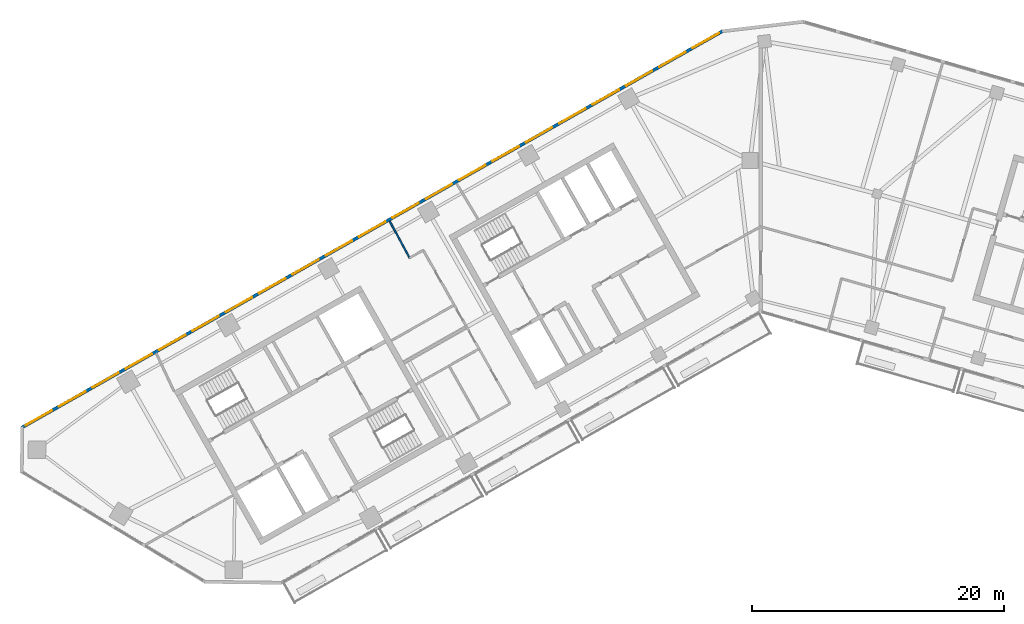
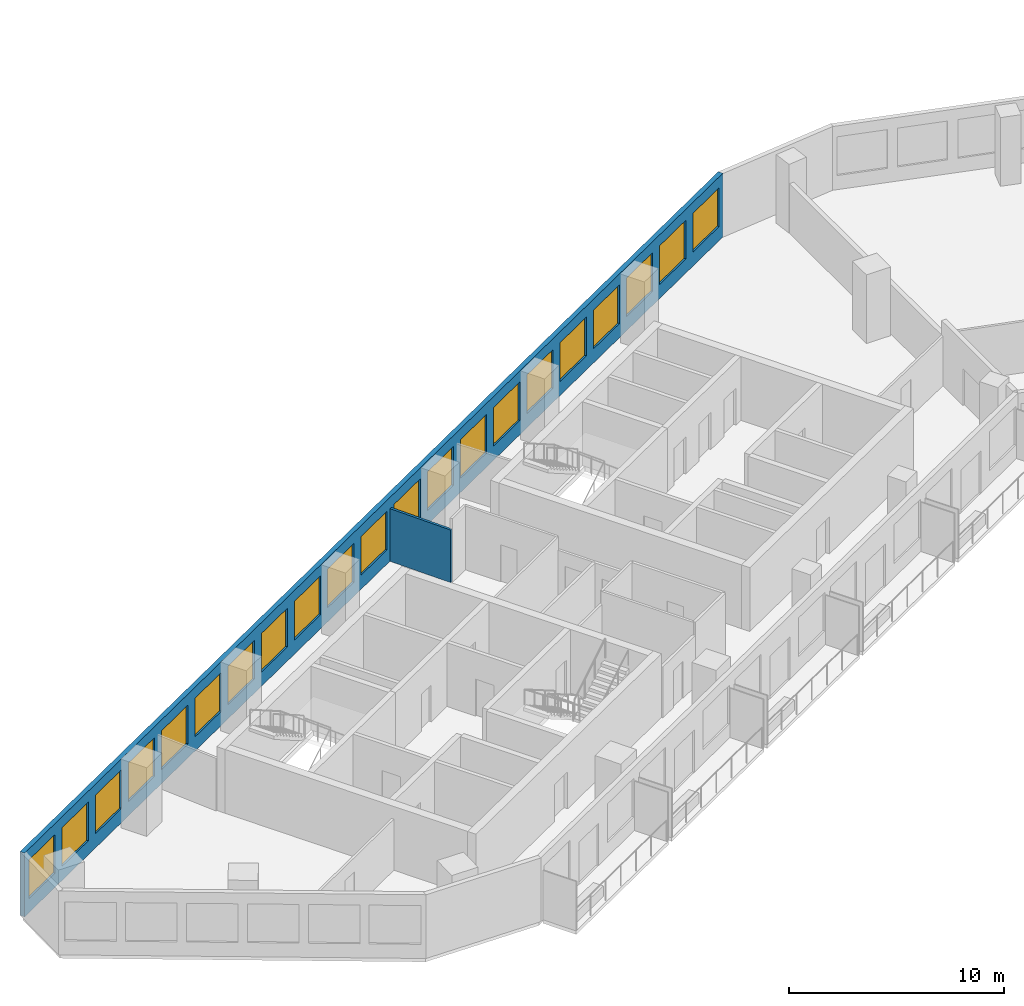
# One storey, part 4 of 12: 21 windows, 2 walls, 21 openings.
"""IFC4 building model written with IfcOpenShell, lengths in metres."""

from ifc_helpers import new_model, si_unit, direction, frame, frame_2d, origin, place, context, subcontext, project, spatial, rectangle, extrude, material, layer, layer_set, type_object, element, fill, save


model = new_model("IFC4")

# Units and contexts
model_context = context("Model", 3, precision=1e-05, world=origin(), true_north=direction((0.0, 1.0)))
body_context = subcontext(model_context, "Body", "Model", "MODEL_VIEW")
ifc_project = project(units=[si_unit("LENGTHUNIT", "METRE"), si_unit("AREAUNIT", "SQUARE_METRE"), si_unit("VOLUMEUNIT", "CUBIC_METRE"), si_unit("PLANEANGLEUNIT", "RADIAN"), si_unit("MASSUNIT", "GRAM", prefix="KILO")], contexts=[model_context])

# Site, building, storey
site_placement = place(None, origin())
site = spatial("IfcSite", under=ifc_project, at=site_placement, CompositionType="ELEMENT")
building_placement = place(site_placement, origin())
building = spatial("IfcBuilding", under=site, at=building_placement, Name="Binnacle Exchange Tower", CompositionType="ELEMENT")
storey_placement = place(building_placement, frame((0.0, 0.0, 211.39990234375)))
storey = spatial("IfcBuildingStorey", under=building, at=storey_placement, Name="L46", CompositionType="ELEMENT", Elevation=211.39990234375)

# Wall, openings, windows
ifc_material_1 = material(Name="Bronze aluminium cladding", Category="aluminium")
ifc_layer_1 = layer(ifc_material_1, 0.25)
ifc_layer_set_1 = layer_set([ifc_layer_1], Name="External wall - window wall 250")
wall_type_1 = type_object("IfcWallType", Name="External wall - window wall 250", PredefinedType="STANDARD", material=ifc_layer_set_1)
wall_1_placement = place(storey_placement, frame((-58.732177734375, 38.770751953125, 0.0), z_axis=(0.0, 0.0, 1.0), x_axis=(0.870354824205, 0.492425100887, 0.0)))
wall_1 = element("IfcWall", 1, at=wall_1_placement, inside=storey, type_object=wall_type_1, Name="External wall EW-G08 L46", PredefinedType="STANDARD", context=body_context, shape_type="SweptSolid", body=[
    extrude(rectangle(XDim=64.005859375, YDim=0.25, at=frame_2d((32.0029296875, 0.0))), origin(), (0.0, 0.0, 1.0), 3.6201171875),
])
opening_1_placement = place(wall_1_placement, frame((61.25927734375, 0.0, 0.800048828125)))
opening_1 = element("IfcOpeningElement", 2, at=opening_1_placement, cuts=wall_1, Name="Opening WR1", PredefinedType="OPENING", context=body_context, shape_type="SweptSolid", body=[
    extrude(rectangle(XDim=2.39990234375, YDim=2.199951171875, at=frame_2d((1.199951171875, 1.10009765625))), frame((0.0, 0.135009765625, 0.0), z_axis=(0.0, -1.0, 0.0), x_axis=(1.0, 0.0, 0.0)), (0.0, 0.0, 1.0), 0.27001953125),
])
opening_2_placement = place(wall_1_placement, frame((58.2158203125, 0.0, 0.800048828125)))
opening_2 = element("IfcOpeningElement", 3, at=opening_2_placement, cuts=wall_1, Name="Opening WR1", PredefinedType="OPENING", context=body_context, shape_type="SweptSolid", body=[
    extrude(rectangle(XDim=2.39990234375, YDim=2.199951171875, at=frame_2d((1.199951171875, 1.10009765625))), frame((0.0, 0.135009765625, 0.0), z_axis=(0.0, -1.0, 0.0), x_axis=(1.0, 0.0, 0.0)), (0.0, 0.0, 1.0), 0.27001953125),
])
opening_3_placement = place(wall_1_placement, frame((55.172607421875, 0.0, 0.800048828125)))
opening_3 = element("IfcOpeningElement", 4, at=opening_3_placement, cuts=wall_1, Name="Opening WR1", PredefinedType="OPENING", context=body_context, shape_type="SweptSolid", body=[
    extrude(rectangle(XDim=2.39990234375, YDim=2.199951171875, at=frame_2d((1.199951171875, 1.10009765625))), frame((0.0, 0.135009765625, 0.0), z_axis=(0.0, -1.0, 0.0), x_axis=(1.0, 0.0, 0.0)), (0.0, 0.0, 1.0), 0.27001953125),
])
opening_4_placement = place(wall_1_placement, frame((52.12939453125, 0.0, 0.800048828125)))
opening_4 = element("IfcOpeningElement", 5, at=opening_4_placement, cuts=wall_1, Name="Opening WR1", PredefinedType="OPENING", context=body_context, shape_type="SweptSolid", body=[
    extrude(rectangle(XDim=2.39990234375, YDim=2.199951171875, at=frame_2d((1.199951171875, 1.10009765625))), frame((0.0, 0.135009765625, 0.0), z_axis=(0.0, -1.0, 0.0), x_axis=(1.0, 0.0, 0.0)), (0.0, 0.0, 1.0), 0.27001953125),
])
opening_5_placement = place(wall_1_placement, frame((49.0859375, 0.0, 0.800048828125)))
opening_5 = element("IfcOpeningElement", 6, at=opening_5_placement, cuts=wall_1, Name="Opening WR1", PredefinedType="OPENING", context=body_context, shape_type="SweptSolid", body=[
    extrude(rectangle(XDim=2.39990234375, YDim=2.199951171875, at=frame_2d((1.199951171875, 1.10009765625))), frame((0.0, 0.135009765625, 0.0), z_axis=(0.0, -1.0, 0.0), x_axis=(1.0, 0.0, 0.0)), (0.0, 0.0, 1.0), 0.27001953125),
])
opening_6_placement = place(wall_1_placement, frame((46.042724609375, 0.0, 0.800048828125)))
opening_6 = element("IfcOpeningElement", 7, at=opening_6_placement, cuts=wall_1, Name="Opening WR1", PredefinedType="OPENING", context=body_context, shape_type="SweptSolid", body=[
    extrude(rectangle(XDim=2.39990234375, YDim=2.199951171875, at=frame_2d((1.199951171875, 1.10009765625))), frame((0.0, 0.135009765625, 0.0), z_axis=(0.0, -1.0, 0.0), x_axis=(1.0, 0.0, 0.0)), (0.0, 0.0, 1.0), 0.27001953125),
])
opening_7_placement = place(wall_1_placement, frame((42.99951171875, 0.0, 0.800048828125)))
opening_7 = element("IfcOpeningElement", 8, at=opening_7_placement, cuts=wall_1, Name="Opening WR1", PredefinedType="OPENING", context=body_context, shape_type="SweptSolid", body=[
    extrude(rectangle(XDim=2.39990234375, YDim=2.199951171875, at=frame_2d((1.199951171875, 1.10009765625))), frame((0.0, 0.135009765625, 0.0), z_axis=(0.0, -1.0, 0.0), x_axis=(1.0, 0.0, 0.0)), (0.0, 0.0, 1.0), 0.27001953125),
])
opening_8_placement = place(wall_1_placement, frame((39.956298828125, 0.0, 0.800048828125)))
opening_8 = element("IfcOpeningElement", 9, at=opening_8_placement, cuts=wall_1, Name="Opening WR1", PredefinedType="OPENING", context=body_context, shape_type="SweptSolid", body=[
    extrude(rectangle(XDim=2.39990234375, YDim=2.199951171875, at=frame_2d((1.199951171875, 1.10009765625))), frame((0.0, 0.135009765625, 0.0), z_axis=(0.0, -1.0, 0.0), x_axis=(1.0, 0.0, 0.0)), (0.0, 0.0, 1.0), 0.27001953125),
])
opening_9_placement = place(wall_1_placement, frame((36.912841796875, 0.0, 0.800048828125)))
opening_9 = element("IfcOpeningElement", 10, at=opening_9_placement, cuts=wall_1, Name="Opening WR1", PredefinedType="OPENING", context=body_context, shape_type="SweptSolid", body=[
    extrude(rectangle(XDim=2.39990234375, YDim=2.199951171875, at=frame_2d((1.199951171875, 1.10009765625))), frame((0.0, 0.135009765625, 0.0), z_axis=(0.0, -1.0, 0.0), x_axis=(1.0, 0.0, 0.0)), (0.0, 0.0, 1.0), 0.27001953125),
])
opening_10_placement = place(wall_1_placement, frame((33.86962890625, 0.0, 0.800048828125)))
opening_10 = element("IfcOpeningElement", 11, at=opening_10_placement, cuts=wall_1, Name="Opening WR1", PredefinedType="OPENING", context=body_context, shape_type="SweptSolid", body=[
    extrude(rectangle(XDim=2.39990234375, YDim=2.199951171875, at=frame_2d((1.199951171875, 1.10009765625))), frame((0.0, 0.135009765625, 0.0), z_axis=(0.0, -1.0, 0.0), x_axis=(1.0, 0.0, 0.0)), (0.0, 0.0, 1.0), 0.27001953125),
])
opening_11_placement = place(wall_1_placement, frame((30.826416015625, 0.0, 0.800048828125)))
opening_11 = element("IfcOpeningElement", 12, at=opening_11_placement, cuts=wall_1, Name="Opening WR1", PredefinedType="OPENING", context=body_context, shape_type="SweptSolid", body=[
    extrude(rectangle(XDim=2.39990234375, YDim=2.199951171875, at=frame_2d((1.199951171875, 1.10009765625))), frame((0.0, 0.135009765625, 0.0), z_axis=(0.0, -1.0, 0.0), x_axis=(1.0, 0.0, 0.0)), (0.0, 0.0, 1.0), 0.27001953125),
])
opening_12_placement = place(wall_1_placement, frame((27.782958984375, 0.0, 0.800048828125)))
opening_12 = element("IfcOpeningElement", 13, at=opening_12_placement, cuts=wall_1, Name="Opening WR1", PredefinedType="OPENING", context=body_context, shape_type="SweptSolid", body=[
    extrude(rectangle(XDim=2.39990234375, YDim=2.199951171875, at=frame_2d((1.199951171875, 1.10009765625))), frame((0.0, 0.135009765625, 0.0), z_axis=(0.0, -1.0, 0.0), x_axis=(1.0, 0.0, 0.0)), (0.0, 0.0, 1.0), 0.27001953125),
])
opening_13_placement = place(wall_1_placement, frame((24.73974609375, 0.0, 0.800048828125)))
opening_13 = element("IfcOpeningElement", 14, at=opening_13_placement, cuts=wall_1, Name="Opening WR1", PredefinedType="OPENING", context=body_context, shape_type="SweptSolid", body=[
    extrude(rectangle(XDim=2.39990234375, YDim=2.199951171875, at=frame_2d((1.199951171875, 1.10009765625))), frame((0.0, 0.135009765625, 0.0), z_axis=(0.0, -1.0, 0.0), x_axis=(1.0, 0.0, 0.0)), (0.0, 0.0, 1.0), 0.27001953125),
])
opening_14_placement = place(wall_1_placement, frame((21.6962890625, 0.0, 0.800048828125)))
opening_14 = element("IfcOpeningElement", 15, at=opening_14_placement, cuts=wall_1, Name="Opening WR1", PredefinedType="OPENING", context=body_context, shape_type="SweptSolid", body=[
    extrude(rectangle(XDim=2.39990234375, YDim=2.199951171875, at=frame_2d((1.199951171875, 1.10009765625))), frame((0.0, 0.135009765625, 0.0), z_axis=(0.0, -1.0, 0.0), x_axis=(1.0, 0.0, 0.0)), (0.0, 0.0, 1.0), 0.27001953125),
])
opening_15_placement = place(wall_1_placement, frame((18.6533203125, 0.0, 0.800048828125)))
opening_15 = element("IfcOpeningElement", 16, at=opening_15_placement, cuts=wall_1, Name="Opening WR1", PredefinedType="OPENING", context=body_context, shape_type="SweptSolid", body=[
    extrude(rectangle(XDim=2.39990234375, YDim=2.199951171875, at=frame_2d((1.199951171875, 1.10009765625))), frame((0.0, 0.135009765625, 0.0), z_axis=(0.0, -1.0, 0.0), x_axis=(1.0, 0.0, 0.0)), (0.0, 0.0, 1.0), 0.27001953125),
])
opening_16_placement = place(wall_1_placement, frame((15.60986328125, 0.0, 0.800048828125)))
opening_16 = element("IfcOpeningElement", 17, at=opening_16_placement, cuts=wall_1, Name="Opening WR1", PredefinedType="OPENING", context=body_context, shape_type="SweptSolid", body=[
    extrude(rectangle(XDim=2.39990234375, YDim=2.199951171875, at=frame_2d((1.199951171875, 1.10009765625))), frame((0.0, 0.135009765625, 0.0), z_axis=(0.0, -1.0, 0.0), x_axis=(1.0, 0.0, 0.0)), (0.0, 0.0, 1.0), 0.27001953125),
])
opening_17_placement = place(wall_1_placement, frame((12.566650390625, 0.0, 0.800048828125)))
opening_17 = element("IfcOpeningElement", 18, at=opening_17_placement, cuts=wall_1, Name="Opening WR1", PredefinedType="OPENING", context=body_context, shape_type="SweptSolid", body=[
    extrude(rectangle(XDim=2.39990234375, YDim=2.199951171875, at=frame_2d((1.199951171875, 1.10009765625))), frame((0.0, 0.135009765625, 0.0), z_axis=(0.0, -1.0, 0.0), x_axis=(1.0, 0.0, 0.0)), (0.0, 0.0, 1.0), 0.27001953125),
])
opening_18_placement = place(wall_1_placement, frame((9.523193359375, 0.0, 0.800048828125)))
opening_18 = element("IfcOpeningElement", 19, at=opening_18_placement, cuts=wall_1, Name="Opening WR1", PredefinedType="OPENING", context=body_context, shape_type="SweptSolid", body=[
    extrude(rectangle(XDim=2.39990234375, YDim=2.199951171875, at=frame_2d((1.199951171875, 1.10009765625))), frame((0.0, 0.135009765625, 0.0), z_axis=(0.0, -1.0, 0.0), x_axis=(1.0, 0.0, 0.0)), (0.0, 0.0, 1.0), 0.27001953125),
])
opening_19_placement = place(wall_1_placement, frame((6.47998046875, 0.0, 0.800048828125)))
opening_19 = element("IfcOpeningElement", 20, at=opening_19_placement, cuts=wall_1, Name="Opening WR1", PredefinedType="OPENING", context=body_context, shape_type="SweptSolid", body=[
    extrude(rectangle(XDim=2.39990234375, YDim=2.199951171875, at=frame_2d((1.199951171875, 1.10009765625))), frame((0.0, 0.135009765625, 0.0), z_axis=(0.0, -1.0, 0.0), x_axis=(1.0, 0.0, 0.0)), (0.0, 0.0, 1.0), 0.27001953125),
])
opening_20_placement = place(wall_1_placement, frame((3.436767578125, 0.0, 0.800048828125)))
opening_20 = element("IfcOpeningElement", 21, at=opening_20_placement, cuts=wall_1, Name="Opening WR1", PredefinedType="OPENING", context=body_context, shape_type="SweptSolid", body=[
    extrude(rectangle(XDim=2.39990234375, YDim=2.199951171875, at=frame_2d((1.199951171875, 1.10009765625))), frame((0.0, 0.135009765625, 0.0), z_axis=(0.0, -1.0, 0.0), x_axis=(1.0, 0.0, 0.0)), (0.0, 0.0, 1.0), 0.27001953125),
])
opening_21_placement = place(wall_1_placement, frame((0.393310546875, 0.0, 0.800048828125)))
opening_21 = element("IfcOpeningElement", 22, at=opening_21_placement, cuts=wall_1, Name="Opening WR1", PredefinedType="OPENING", context=body_context, shape_type="SweptSolid", body=[
    extrude(rectangle(XDim=2.39990234375, YDim=2.199951171875, at=frame_2d((1.199951171875, 1.10009765625))), frame((0.0, 0.135009765625, 0.0), z_axis=(0.0, -1.0, 0.0), x_axis=(1.0, 0.0, 0.0)), (0.0, 0.0, 1.0), 0.27001953125),
])
ifc_material_2 = material(Name="Bronze anodised aluminium frame", Category="aluminium")
window_type = type_object("IfcWindowType", Name="WR1 WINDOW 2400x2200", PartitioningType="SINGLE_PANEL", PredefinedType="WINDOW", material=ifc_material_2)
window_1_placement = place(opening_1_placement, origin())
window_1 = element("IfcWindow", 23, at=window_1_placement, inside=storey, type_object=window_type, Name="Window WR1 L46", OverallHeight=2.199951171875, OverallWidth=2.39990234375, PartitioningType="SINGLE_PANEL", PredefinedType="WINDOW", context=body_context, shape_type="SweptSolid", body=[
    extrude(rectangle(XDim=2.39990234375, YDim=2.199951171875, at=frame_2d((1.199951171875, 1.10009765625))), frame((0.0, 0.030029296875, 0.0), z_axis=(0.0, -1.0, 0.0), x_axis=(1.0, 0.0, 0.0)), (0.0, 0.0, 1.0), 0.06005859375),
])
fill(opening_1, window_1)
window_2_placement = place(opening_2_placement, origin())
window_2 = element("IfcWindow", 24, at=window_2_placement, inside=storey, type_object=window_type, Name="Window WR1 L46", OverallHeight=2.199951171875, OverallWidth=2.39990234375, PartitioningType="SINGLE_PANEL", PredefinedType="WINDOW", context=body_context, shape_type="SweptSolid", body=[
    extrude(rectangle(XDim=2.39990234375, YDim=2.199951171875, at=frame_2d((1.199951171875, 1.10009765625))), frame((0.0, 0.030029296875, 0.0), z_axis=(0.0, -1.0, 0.0), x_axis=(1.0, 0.0, 0.0)), (0.0, 0.0, 1.0), 0.06005859375),
])
fill(opening_2, window_2)
window_3_placement = place(opening_3_placement, origin())
window_3 = element("IfcWindow", 25, at=window_3_placement, inside=storey, type_object=window_type, Name="Window WR1 L46", OverallHeight=2.199951171875, OverallWidth=2.39990234375, PartitioningType="SINGLE_PANEL", PredefinedType="WINDOW", context=body_context, shape_type="SweptSolid", body=[
    extrude(rectangle(XDim=2.39990234375, YDim=2.199951171875, at=frame_2d((1.199951171875, 1.10009765625))), frame((0.0, 0.030029296875, 0.0), z_axis=(0.0, -1.0, 0.0), x_axis=(1.0, 0.0, 0.0)), (0.0, 0.0, 1.0), 0.06005859375),
])
fill(opening_3, window_3)
window_4_placement = place(opening_4_placement, origin())
window_4 = element("IfcWindow", 26, at=window_4_placement, inside=storey, type_object=window_type, Name="Window WR1 L46", OverallHeight=2.199951171875, OverallWidth=2.39990234375, PartitioningType="SINGLE_PANEL", PredefinedType="WINDOW", context=body_context, shape_type="SweptSolid", body=[
    extrude(rectangle(XDim=2.39990234375, YDim=2.199951171875, at=frame_2d((1.199951171875, 1.10009765625))), frame((0.0, 0.030029296875, 0.0), z_axis=(0.0, -1.0, 0.0), x_axis=(1.0, 0.0, 0.0)), (0.0, 0.0, 1.0), 0.06005859375),
])
fill(opening_4, window_4)
window_5_placement = place(opening_5_placement, origin())
window_5 = element("IfcWindow", 27, at=window_5_placement, inside=storey, type_object=window_type, Name="Window WR1 L46", OverallHeight=2.199951171875, OverallWidth=2.39990234375, PartitioningType="SINGLE_PANEL", PredefinedType="WINDOW", context=body_context, shape_type="SweptSolid", body=[
    extrude(rectangle(XDim=2.39990234375, YDim=2.199951171875, at=frame_2d((1.199951171875, 1.10009765625))), frame((0.0, 0.030029296875, 0.0), z_axis=(0.0, -1.0, 0.0), x_axis=(1.0, 0.0, 0.0)), (0.0, 0.0, 1.0), 0.06005859375),
])
fill(opening_5, window_5)
window_6_placement = place(opening_6_placement, origin())
window_6 = element("IfcWindow", 28, at=window_6_placement, inside=storey, type_object=window_type, Name="Window WR1 L46", OverallHeight=2.199951171875, OverallWidth=2.39990234375, PartitioningType="SINGLE_PANEL", PredefinedType="WINDOW", context=body_context, shape_type="SweptSolid", body=[
    extrude(rectangle(XDim=2.39990234375, YDim=2.199951171875, at=frame_2d((1.199951171875, 1.10009765625))), frame((0.0, 0.030029296875, 0.0), z_axis=(0.0, -1.0, 0.0), x_axis=(1.0, 0.0, 0.0)), (0.0, 0.0, 1.0), 0.06005859375),
])
fill(opening_6, window_6)
window_7_placement = place(opening_7_placement, origin())
window_7 = element("IfcWindow", 29, at=window_7_placement, inside=storey, type_object=window_type, Name="Window WR1 L46", OverallHeight=2.199951171875, OverallWidth=2.39990234375, PartitioningType="SINGLE_PANEL", PredefinedType="WINDOW", context=body_context, shape_type="SweptSolid", body=[
    extrude(rectangle(XDim=2.39990234375, YDim=2.199951171875, at=frame_2d((1.199951171875, 1.10009765625))), frame((0.0, 0.030029296875, 0.0), z_axis=(0.0, -1.0, 0.0), x_axis=(1.0, 0.0, 0.0)), (0.0, 0.0, 1.0), 0.06005859375),
])
fill(opening_7, window_7)
window_8_placement = place(opening_8_placement, origin())
window_8 = element("IfcWindow", 30, at=window_8_placement, inside=storey, type_object=window_type, Name="Window WR1 L46", OverallHeight=2.199951171875, OverallWidth=2.39990234375, PartitioningType="SINGLE_PANEL", PredefinedType="WINDOW", context=body_context, shape_type="SweptSolid", body=[
    extrude(rectangle(XDim=2.39990234375, YDim=2.199951171875, at=frame_2d((1.199951171875, 1.10009765625))), frame((0.0, 0.030029296875, 0.0), z_axis=(0.0, -1.0, 0.0), x_axis=(1.0, 0.0, 0.0)), (0.0, 0.0, 1.0), 0.06005859375),
])
fill(opening_8, window_8)
window_9_placement = place(opening_9_placement, origin())
window_9 = element("IfcWindow", 31, at=window_9_placement, inside=storey, type_object=window_type, Name="Window WR1 L46", OverallHeight=2.199951171875, OverallWidth=2.39990234375, PartitioningType="SINGLE_PANEL", PredefinedType="WINDOW", context=body_context, shape_type="SweptSolid", body=[
    extrude(rectangle(XDim=2.39990234375, YDim=2.199951171875, at=frame_2d((1.199951171875, 1.10009765625))), frame((0.0, 0.030029296875, 0.0), z_axis=(0.0, -1.0, 0.0), x_axis=(1.0, 0.0, 0.0)), (0.0, 0.0, 1.0), 0.06005859375),
])
fill(opening_9, window_9)
window_10_placement = place(opening_10_placement, origin())
window_10 = element("IfcWindow", 32, at=window_10_placement, inside=storey, type_object=window_type, Name="Window WR1 L46", OverallHeight=2.199951171875, OverallWidth=2.39990234375, PartitioningType="SINGLE_PANEL", PredefinedType="WINDOW", context=body_context, shape_type="SweptSolid", body=[
    extrude(rectangle(XDim=2.39990234375, YDim=2.199951171875, at=frame_2d((1.199951171875, 1.10009765625))), frame((0.0, 0.030029296875, 0.0), z_axis=(0.0, -1.0, 0.0), x_axis=(1.0, 0.0, 0.0)), (0.0, 0.0, 1.0), 0.06005859375),
])
fill(opening_10, window_10)
window_11_placement = place(opening_11_placement, origin())
window_11 = element("IfcWindow", 33, at=window_11_placement, inside=storey, type_object=window_type, Name="Window WR1 L46", OverallHeight=2.199951171875, OverallWidth=2.39990234375, PartitioningType="SINGLE_PANEL", PredefinedType="WINDOW", context=body_context, shape_type="SweptSolid", body=[
    extrude(rectangle(XDim=2.39990234375, YDim=2.199951171875, at=frame_2d((1.199951171875, 1.10009765625))), frame((0.0, 0.030029296875, 0.0), z_axis=(0.0, -1.0, 0.0), x_axis=(1.0, 0.0, 0.0)), (0.0, 0.0, 1.0), 0.06005859375),
])
fill(opening_11, window_11)
window_12_placement = place(opening_12_placement, origin())
window_12 = element("IfcWindow", 34, at=window_12_placement, inside=storey, type_object=window_type, Name="Window WR1 L46", OverallHeight=2.199951171875, OverallWidth=2.39990234375, PartitioningType="SINGLE_PANEL", PredefinedType="WINDOW", context=body_context, shape_type="SweptSolid", body=[
    extrude(rectangle(XDim=2.39990234375, YDim=2.199951171875, at=frame_2d((1.199951171875, 1.10009765625))), frame((0.0, 0.030029296875, 0.0), z_axis=(0.0, -1.0, 0.0), x_axis=(1.0, 0.0, 0.0)), (0.0, 0.0, 1.0), 0.06005859375),
])
fill(opening_12, window_12)
window_13_placement = place(opening_13_placement, origin())
window_13 = element("IfcWindow", 35, at=window_13_placement, inside=storey, type_object=window_type, Name="Window WR1 L46", OverallHeight=2.199951171875, OverallWidth=2.39990234375, PartitioningType="SINGLE_PANEL", PredefinedType="WINDOW", context=body_context, shape_type="SweptSolid", body=[
    extrude(rectangle(XDim=2.39990234375, YDim=2.199951171875, at=frame_2d((1.199951171875, 1.10009765625))), frame((0.0, 0.030029296875, 0.0), z_axis=(0.0, -1.0, 0.0), x_axis=(1.0, 0.0, 0.0)), (0.0, 0.0, 1.0), 0.06005859375),
])
fill(opening_13, window_13)
window_14_placement = place(opening_14_placement, origin())
window_14 = element("IfcWindow", 36, at=window_14_placement, inside=storey, type_object=window_type, Name="Window WR1 L46", OverallHeight=2.199951171875, OverallWidth=2.39990234375, PartitioningType="SINGLE_PANEL", PredefinedType="WINDOW", context=body_context, shape_type="SweptSolid", body=[
    extrude(rectangle(XDim=2.39990234375, YDim=2.199951171875, at=frame_2d((1.199951171875, 1.10009765625))), frame((0.0, 0.030029296875, 0.0), z_axis=(0.0, -1.0, 0.0), x_axis=(1.0, 0.0, 0.0)), (0.0, 0.0, 1.0), 0.06005859375),
])
fill(opening_14, window_14)
window_15_placement = place(opening_15_placement, origin())
window_15 = element("IfcWindow", 37, at=window_15_placement, inside=storey, type_object=window_type, Name="Window WR1 L46", OverallHeight=2.199951171875, OverallWidth=2.39990234375, PartitioningType="SINGLE_PANEL", PredefinedType="WINDOW", context=body_context, shape_type="SweptSolid", body=[
    extrude(rectangle(XDim=2.39990234375, YDim=2.199951171875, at=frame_2d((1.199951171875, 1.10009765625))), frame((0.0, 0.030029296875, 0.0), z_axis=(0.0, -1.0, 0.0), x_axis=(1.0, 0.0, 0.0)), (0.0, 0.0, 1.0), 0.06005859375),
])
fill(opening_15, window_15)
window_16_placement = place(opening_16_placement, origin())
window_16 = element("IfcWindow", 38, at=window_16_placement, inside=storey, type_object=window_type, Name="Window WR1 L46", OverallHeight=2.199951171875, OverallWidth=2.39990234375, PartitioningType="SINGLE_PANEL", PredefinedType="WINDOW", context=body_context, shape_type="SweptSolid", body=[
    extrude(rectangle(XDim=2.39990234375, YDim=2.199951171875, at=frame_2d((1.199951171875, 1.10009765625))), frame((0.0, 0.030029296875, 0.0), z_axis=(0.0, -1.0, 0.0), x_axis=(1.0, 0.0, 0.0)), (0.0, 0.0, 1.0), 0.06005859375),
])
fill(opening_16, window_16)
window_17_placement = place(opening_17_placement, origin())
window_17 = element("IfcWindow", 39, at=window_17_placement, inside=storey, type_object=window_type, Name="Window WR1 L46", OverallHeight=2.199951171875, OverallWidth=2.39990234375, PartitioningType="SINGLE_PANEL", PredefinedType="WINDOW", context=body_context, shape_type="SweptSolid", body=[
    extrude(rectangle(XDim=2.39990234375, YDim=2.199951171875, at=frame_2d((1.199951171875, 1.10009765625))), frame((0.0, 0.030029296875, 0.0), z_axis=(0.0, -1.0, 0.0), x_axis=(1.0, 0.0, 0.0)), (0.0, 0.0, 1.0), 0.06005859375),
])
fill(opening_17, window_17)
window_18_placement = place(opening_18_placement, origin())
window_18 = element("IfcWindow", 40, at=window_18_placement, inside=storey, type_object=window_type, Name="Window WR1 L46", OverallHeight=2.199951171875, OverallWidth=2.39990234375, PartitioningType="SINGLE_PANEL", PredefinedType="WINDOW", context=body_context, shape_type="SweptSolid", body=[
    extrude(rectangle(XDim=2.39990234375, YDim=2.199951171875, at=frame_2d((1.199951171875, 1.10009765625))), frame((0.0, 0.030029296875, 0.0), z_axis=(0.0, -1.0, 0.0), x_axis=(1.0, 0.0, 0.0)), (0.0, 0.0, 1.0), 0.06005859375),
])
fill(opening_18, window_18)
window_19_placement = place(opening_19_placement, origin())
window_19 = element("IfcWindow", 41, at=window_19_placement, inside=storey, type_object=window_type, Name="Window WR1 L46", OverallHeight=2.199951171875, OverallWidth=2.39990234375, PartitioningType="SINGLE_PANEL", PredefinedType="WINDOW", context=body_context, shape_type="SweptSolid", body=[
    extrude(rectangle(XDim=2.39990234375, YDim=2.199951171875, at=frame_2d((1.199951171875, 1.10009765625))), frame((0.0, 0.030029296875, 0.0), z_axis=(0.0, -1.0, 0.0), x_axis=(1.0, 0.0, 0.0)), (0.0, 0.0, 1.0), 0.06005859375),
])
fill(opening_19, window_19)
window_20_placement = place(opening_20_placement, origin())
window_20 = element("IfcWindow", 42, at=window_20_placement, inside=storey, type_object=window_type, Name="Window WR1 L46", OverallHeight=2.199951171875, OverallWidth=2.39990234375, PartitioningType="SINGLE_PANEL", PredefinedType="WINDOW", context=body_context, shape_type="SweptSolid", body=[
    extrude(rectangle(XDim=2.39990234375, YDim=2.199951171875, at=frame_2d((1.199951171875, 1.10009765625))), frame((0.0, 0.030029296875, 0.0), z_axis=(0.0, -1.0, 0.0), x_axis=(1.0, 0.0, 0.0)), (0.0, 0.0, 1.0), 0.06005859375),
])
fill(opening_20, window_20)
window_21_placement = place(opening_21_placement, origin())
window_21 = element("IfcWindow", 43, at=window_21_placement, inside=storey, type_object=window_type, Name="Window WR1 L46", OverallHeight=2.199951171875, OverallWidth=2.39990234375, PartitioningType="SINGLE_PANEL", PredefinedType="WINDOW", context=body_context, shape_type="SweptSolid", body=[
    extrude(rectangle(XDim=2.39990234375, YDim=2.199951171875, at=frame_2d((1.199951171875, 1.10009765625))), frame((0.0, 0.030029296875, 0.0), z_axis=(0.0, -1.0, 0.0), x_axis=(1.0, 0.0, 0.0)), (0.0, 0.0, 1.0), 0.06005859375),
])
fill(opening_21, window_21)

# Wall
ifc_material_3 = material(Name="Gypsum partition")
ifc_layer_2 = layer(ifc_material_3, 0.125)
ifc_layer_set_2 = layer_set([ifc_layer_2], Name="Partition 125")
wall_type_2 = type_object("IfcWallType", Name="Partition 125", PredefinedType="PARTITIONING", material=ifc_layer_set_2)
wall_2_placement = place(storey_placement, frame((-29.47412109375, 55.180908203125, 0.0), z_axis=(0.0, 0.0, 1.0), x_axis=(0.475344759365, -0.879799613403, 0.0)))
element("IfcWall", 44, at=wall_2_placement, inside=storey, type_object=wall_type_2, Name="Partition W03", PredefinedType="PARTITIONING", context=body_context, shape_type="SweptSolid", body=[
    extrude(rectangle(XDim=3.320068359375, YDim=0.125, at=frame_2d((1.66015625, 0.0))), origin(), (0.0, 0.0, 1.0), 2.988037109375),
])

save(model, "model.ifc")
